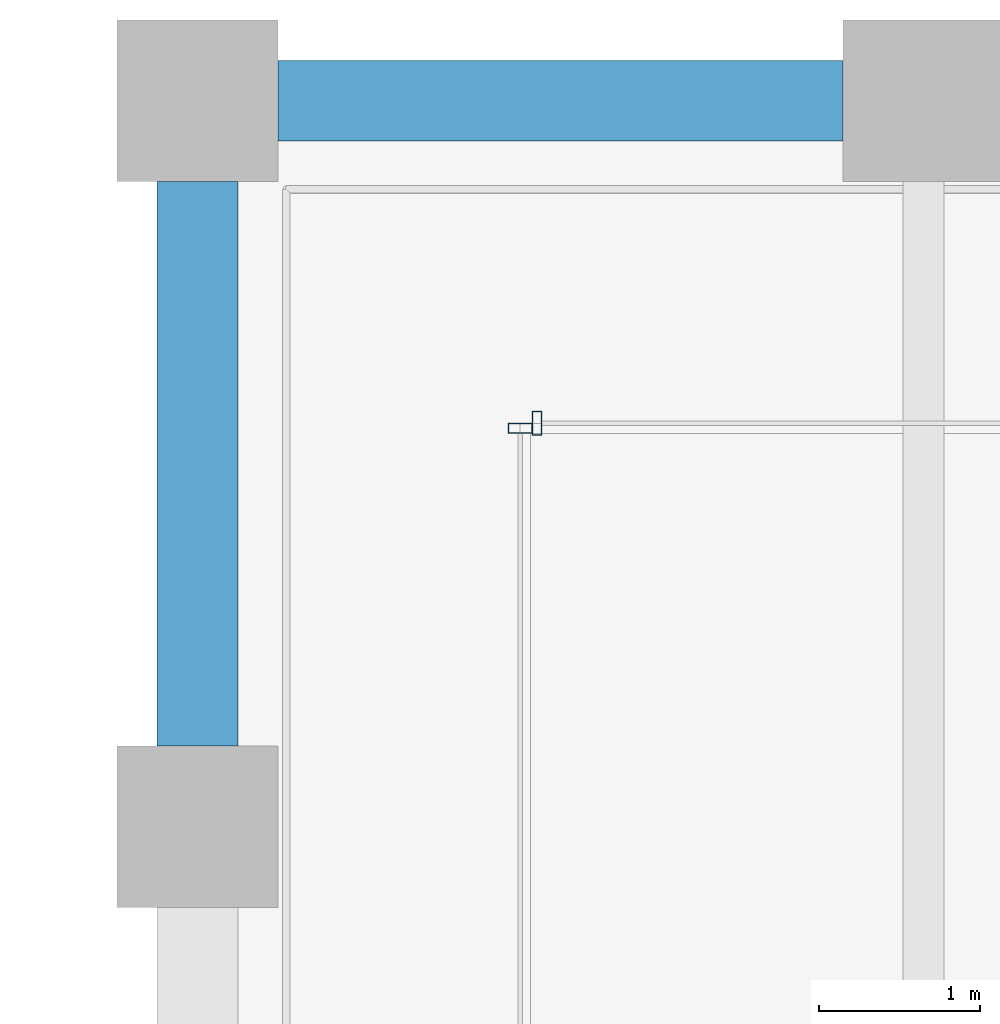
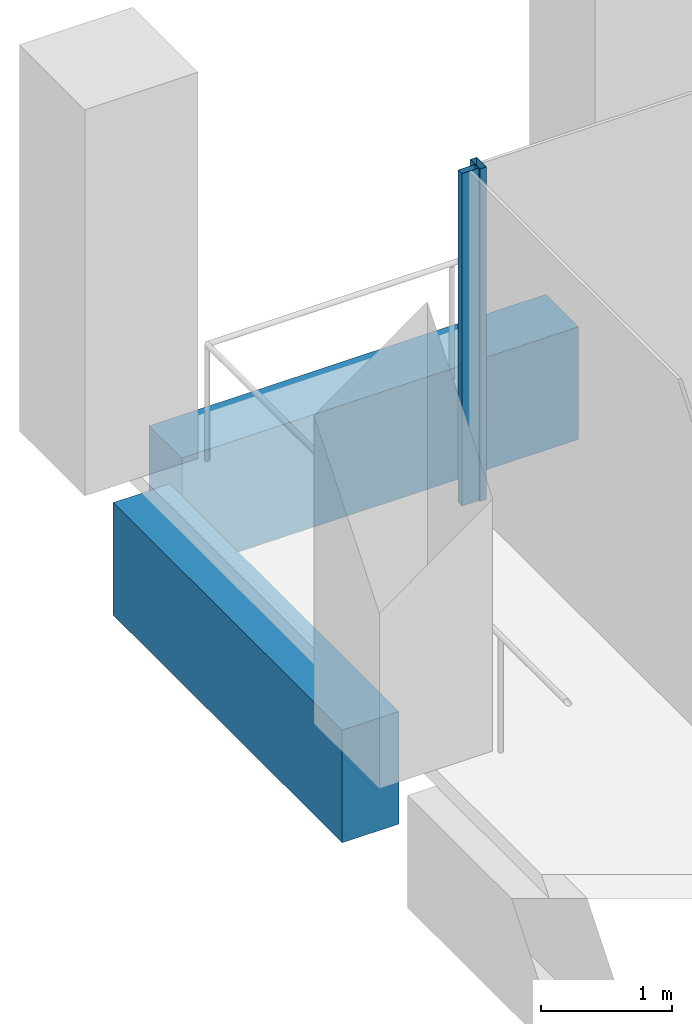
# One storey, part 21 of 45: 2 beams, 2 members, 2 elements without a shape of their own.
"""IFC4 building model written with IfcOpenShell, lengths in metres."""

from ifc_helpers import new_model, si_unit, direction, frame, origin, origin_2d, place, context, subcontext, project, spatial, rectangle, hollow_rectangle, extrude, material, material_profile, profile_set, type_object, element, aggregate, save


model = new_model("IFC4")

# Units and contexts
model_context = context("Model", 3, precision=1e-05, world=origin(), true_north=direction((0.0, 1.0)))
body_context = subcontext(model_context, "Body", "Model", "MODEL_VIEW")
ifc_project = project(units=[si_unit("LENGTHUNIT", "METRE"), si_unit("AREAUNIT", "SQUARE_METRE"), si_unit("VOLUMEUNIT", "CUBIC_METRE"), si_unit("PLANEANGLEUNIT", "RADIAN"), si_unit("MASSUNIT", "GRAM", prefix="KILO")], contexts=[model_context])

# Site, building, storey
site_placement = place(None, origin())
site = spatial("IfcSite", under=ifc_project, at=site_placement, CompositionType="ELEMENT")
building_placement = place(site_placement, origin())
building = spatial("IfcBuilding", under=site, at=building_placement, Name="Altepetl Exchange Towers", CompositionType="ELEMENT")
storey_placement = place(building_placement, frame((0.0, 0.0, 110.0)))
storey = spatial("IfcBuildingStorey", under=building, at=storey_placement, Name="L27", CompositionType="ELEMENT", Elevation=110.0)

# Curtain wall, member
ifc_material_1 = material(Name="Aluminium 6063-T6 glazing", Category="aluminium")
curtain_wall_type = type_object("IfcCurtainWallType", Name="Loggia glazing system", PredefinedType="NOTDEFINED", material=ifc_material_1)
curtain_wall_1_placement = place(storey_placement, origin())
curtain_wall_1 = element("IfcCurtainWall", 1, at=curtain_wall_1_placement, inside=storey, type_object=curtain_wall_type, Name="CW1 run", PredefinedType="NOTDEFINED")
ifc_material_2 = material(Name="Aluminium 6063-T6", Category="aluminium")
ifc_material_profile_1 = material_profile(ifc_material_2, hollow_rectangle(XDim=0.06005859375, YDim=0.14990234375, WallThickness=0.0029296875, at=origin_2d()), Name="Mullion 60x150 aluminium")
ifc_profile_set_1 = profile_set([ifc_material_profile_1], Name="Aluminium 6063-T6")
member_type = type_object("IfcMemberType", Name="Mullion 60x150 aluminium", PredefinedType="MULLION", material=ifc_profile_set_1)
member_1_placement = place(storey_placement, frame((42.60498046875, 70.0, 0.0), z_axis=(0.0, 0.0, 1.0), x_axis=(-1.0, 0.0, 0.0)))
member_1 = element("IfcMember", 2, at=member_1_placement, type_object=member_type, Name="MU1 mullion", PredefinedType="MULLION", context=body_context, shape_type="SweptSolid", body=[
    extrude(hollow_rectangle(XDim=0.06005859375, YDim=0.14990234375, WallThickness=0.0029296875, at=origin_2d()), origin(), (0.0, 0.0, 1.0), 3.10009765625),
])
aggregate(curtain_wall_1, [member_1])

curtain_wall_2_placement = place(storey_placement, origin())
curtain_wall_2 = element("IfcCurtainWall", 3, at=curtain_wall_2_placement, inside=storey, type_object=curtain_wall_type, Name="CW1 run", PredefinedType="NOTDEFINED")
member_2_placement = place(storey_placement, frame((42.5, 69.969970703125, 0.0), z_axis=(0.0, 0.0, 1.0), x_axis=(0.0, -1.0, 0.0)))
member_2 = element("IfcMember", 4, at=member_2_placement, type_object=member_type, Name="MU1 mullion", PredefinedType="MULLION", context=body_context, shape_type="SweptSolid", body=[
    extrude(hollow_rectangle(XDim=0.06005859375, YDim=0.14990234375, WallThickness=0.0029296875, at=origin_2d()), origin(), (0.0, 0.0, 1.0), 3.10009765625),
])
aggregate(curtain_wall_2, [member_2])

# Beams
ifc_material_3 = material(Name="Concrete C50/60 precast with cantera rosa facing", Category="concrete")
ifc_material_profile_2 = material_profile(ifc_material_3, rectangle(XDim=0.5, YDim=1.050048828125, at=origin_2d()), Name="500 x 1050")
ifc_profile_set_2 = profile_set([ifc_material_profile_2], Name="Concrete C50/60 precast with cantera rosa facing")
beam_type_1 = type_object("IfcBeamType", Name="Spandrel beam 500x1050 cantera rosa", PredefinedType="SPANDREL", material=ifc_profile_set_2)
beam_1_placement = place(storey_placement, frame((44.5, 72.0, -0.675048828125), z_axis=(-1.0, 0.0, 0.0), x_axis=(0.0, -1.0, 0.0)))
element("IfcBeam", 5, at=beam_1_placement, inside=storey, type_object=beam_type_1, Name="sp:A:L27:029", PredefinedType="SPANDREL", context=body_context, shape_type="SweptSolid", body=[
    extrude(rectangle(XDim=0.5, YDim=1.050048828125, at=origin_2d()), origin(), (0.0, 0.0, 1.0), 3.5),
])
ifc_material_4 = material(Name="Concrete C50/60 precast with tezontle facing", Category="concrete")
ifc_material_profile_3 = material_profile(ifc_material_4, rectangle(XDim=0.5, YDim=1.050048828125, at=origin_2d()), Name="500 x 1050")
ifc_profile_set_3 = profile_set([ifc_material_profile_3], Name="Concrete C50/60 precast with tezontle facing")
beam_type_2 = type_object("IfcBeamType", Name="Spandrel beam 500x1050 tezontle", PredefinedType="SPANDREL", material=ifc_profile_set_3)
beam_2_placement = place(storey_placement, frame((40.5, 71.5, -0.675048828125), z_axis=(0.0, -1.0, 0.0), x_axis=(1.0, 0.0, 0.0)))
element("IfcBeam", 6, at=beam_2_placement, inside=storey, type_object=beam_type_2, Name="sp:A:L27:030", PredefinedType="SPANDREL", context=body_context, shape_type="SweptSolid", body=[
    extrude(rectangle(XDim=0.5, YDim=1.050048828125, at=origin_2d()), origin(), (0.0, 0.0, 1.0), 3.5),
])

save(model, "model.ifc")
